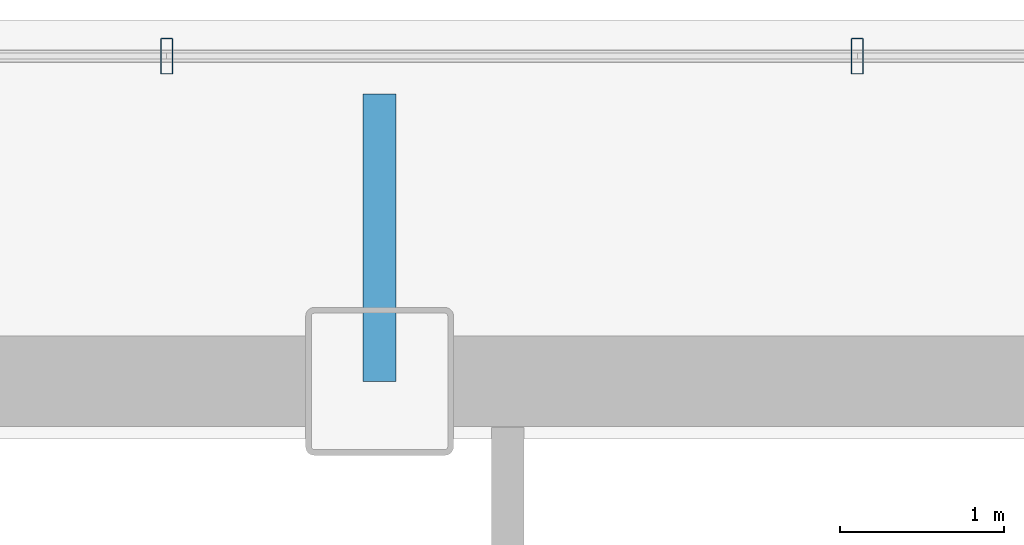
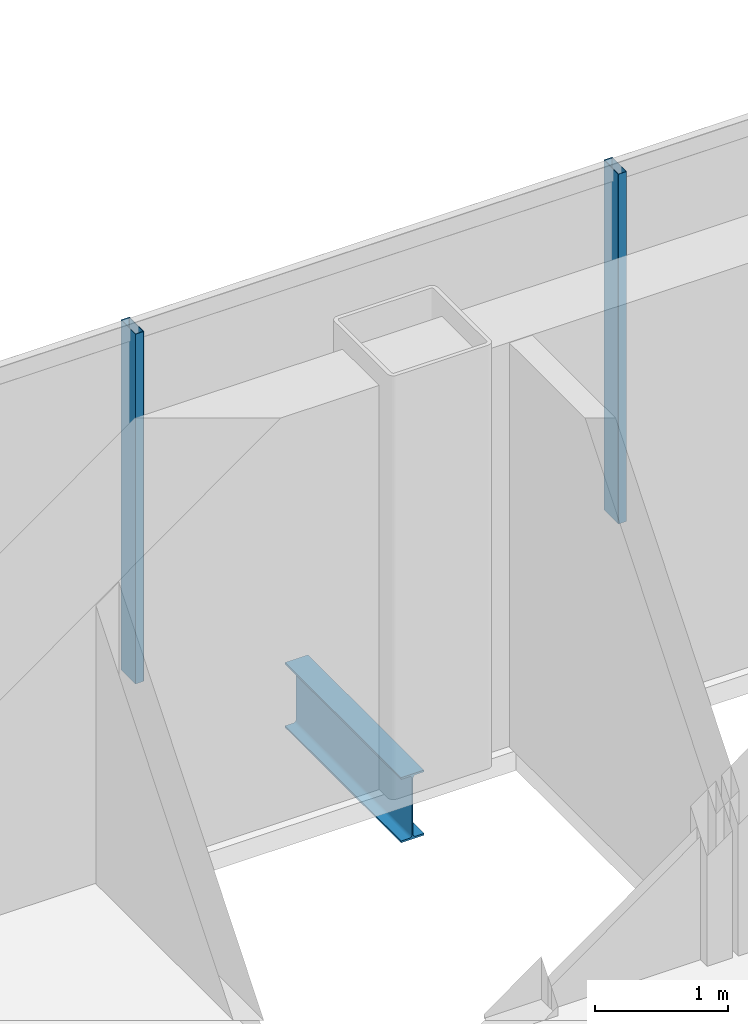
# One storey, part 11 of 20: 2 members, 1 beam, 1 element without a shape of its own.
"""IFC4 building model written with IfcOpenShell, lengths in metres."""

from ifc_helpers import new_model, si_unit, direction, frame, origin, origin_2d, place, context, subcontext, project, spatial, hollow_rectangle, i_section, extrude, material, material_profile, profile_set, type_object, element, aggregate, save


model = new_model("IFC4")

# Units and contexts
model_context = context("Model", 3, precision=1e-05, world=origin(), true_north=direction((0.0, 1.0)))
body_context = subcontext(model_context, "Body", "Model", "MODEL_VIEW")
ifc_project = project(units=[si_unit("LENGTHUNIT", "METRE"), si_unit("AREAUNIT", "SQUARE_METRE"), si_unit("VOLUMEUNIT", "CUBIC_METRE"), si_unit("PLANEANGLEUNIT", "RADIAN"), si_unit("MASSUNIT", "GRAM", prefix="KILO")], contexts=[model_context])

# Site, building, storey
site_placement = place(None, origin())
site = spatial("IfcSite", under=ifc_project, at=site_placement, CompositionType="ELEMENT")
building_placement = place(site_placement, origin())
building = spatial("IfcBuilding", under=site, at=building_placement, Name="Noeulbin Bourse Tower", CompositionType="ELEMENT")
storey_placement = place(building_placement, frame((0.0, 0.0, 122.699951171875)))
storey = spatial("IfcBuildingStorey", under=building, at=storey_placement, Name="L30", CompositionType="ELEMENT", Elevation=122.699951171875)

# Beam
ifc_material_1 = material(Name="Steel S355", Category="steel")
ifc_material_profile_1 = material_profile(ifc_material_1, i_section(OverallWidth=0.199951171875, OverallDepth=0.60009765625, WebThickness=0.010986328125, FlangeThickness=0.01708984375, FilletRadius=0.02197265625, at=origin_2d()), Name="H-600x200x11x17", Category="LoadBearing")
ifc_profile_set_1 = profile_set([ifc_material_profile_1], Name="Steel S355")
beam_type = type_object("IfcBeamType", Name="BM-GRD-600", PredefinedType="USERDEFINED", material=ifc_profile_set_1)
beam_placement = place(storey_placement, frame((31.0, 38.300048828125, -0.47998046875), z_axis=(0.0, 1.0, 0.0), x_axis=(-1.0, 0.0, 0.0)))
element("IfcBeam", 1, at=beam_placement, inside=storey, type_object=beam_type, Name="Tower Primary Girder NS L30-3.4", ObjectType="GIRDER", PredefinedType="USERDEFINED", context=body_context, shape_type="SweptSolid", body=[
    extrude(i_section(OverallWidth=0.199951171875, OverallDepth=0.60009765625, WebThickness=0.010986328125, FlangeThickness=0.01708984375, FilletRadius=0.02197265625, at=origin_2d()), origin(), (0.0, 0.0, 1.0), 1.75),
])

# Curtain wall, members
ifc_material_2 = material(Name="Dark Tinted Triple Glazing", Category="glass")
curtain_wall_type = type_object("IfcCurtainWallType", Name="CW-SYS-3", PredefinedType="NOTDEFINED", material=ifc_material_2)
curtain_wall_placement = place(storey_placement, origin())
curtain_wall = element("IfcCurtainWall", 2, at=curtain_wall_placement, inside=storey, type_object=curtain_wall_type, Name="Unitised Curtain Wall CW-L30-N", PredefinedType="NOTDEFINED")
ifc_material_3 = material(Name="Anodised Aluminium 6063-T6", Category="aluminium")
ifc_material_profile_2 = material_profile(ifc_material_3, hollow_rectangle(XDim=0.074951171875, YDim=0.219970703125, WallThickness=0.0048828125, InnerFilletRadius=0.00244140625, OuterFilletRadius=0.0048828125, at=origin_2d()), Name="ALU-MULL-75x220x5", Category="LoadBearing")
ifc_profile_set_2 = profile_set([ifc_material_profile_2], Name="Anodised Aluminium 6063-T6")
member_type = type_object("IfcMemberType", Name="CW-SYS-3-MUL", PredefinedType="MULLION", material=ifc_profile_set_2)
member_1_placement = place(storey_placement, frame((29.7041015625, 40.280029296875, -0.02001953125), z_axis=(0.0, 0.0, 1.0), x_axis=(1.0, 0.0, 0.0)))
member_1 = element("IfcMember", 3, at=member_1_placement, type_object=member_type, Name="Curtain Wall Mullion CW-L30-N-M06", PredefinedType="MULLION", context=body_context, shape_type="SweptSolid", body=[
    extrude(hollow_rectangle(XDim=0.074951171875, YDim=0.219970703125, WallThickness=0.0048828125, InnerFilletRadius=0.00244140625, OuterFilletRadius=0.0048828125, at=origin_2d()), origin(), (0.0, 0.0, 1.0), 3.219970703125),
])
member_2_placement = place(storey_placement, frame((33.907958984375, 40.280029296875, -0.02001953125), z_axis=(0.0, 0.0, 1.0), x_axis=(1.0, 0.0, 0.0)))
member_2 = element("IfcMember", 4, at=member_2_placement, type_object=member_type, Name="Curtain Wall Mullion CW-L30-N-M07", PredefinedType="MULLION", context=body_context, shape_type="SweptSolid", body=[
    extrude(hollow_rectangle(XDim=0.074951171875, YDim=0.219970703125, WallThickness=0.0048828125, InnerFilletRadius=0.00244140625, OuterFilletRadius=0.0048828125, at=origin_2d()), origin(), (0.0, 0.0, 1.0), 3.219970703125),
])
aggregate(curtain_wall, [member_1, member_2])

save(model, "model.ifc")
